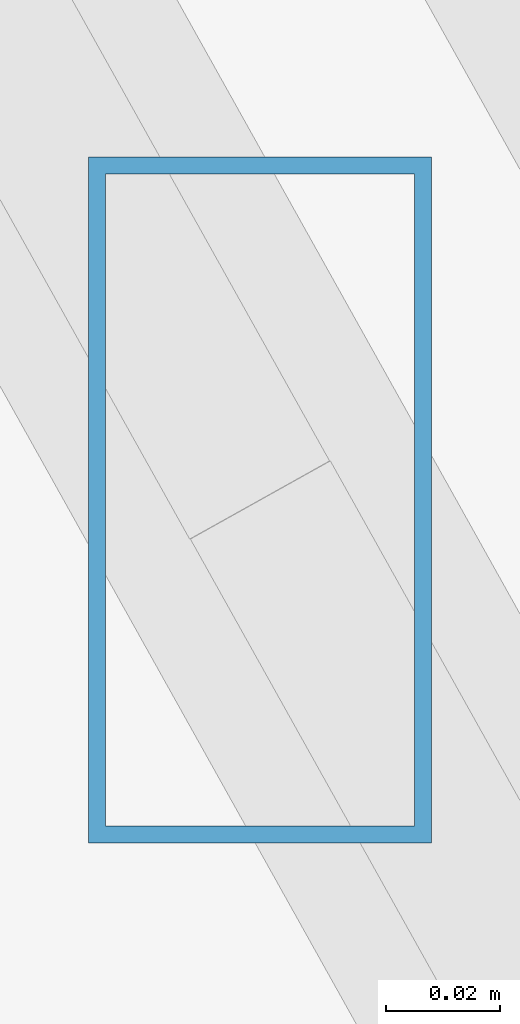
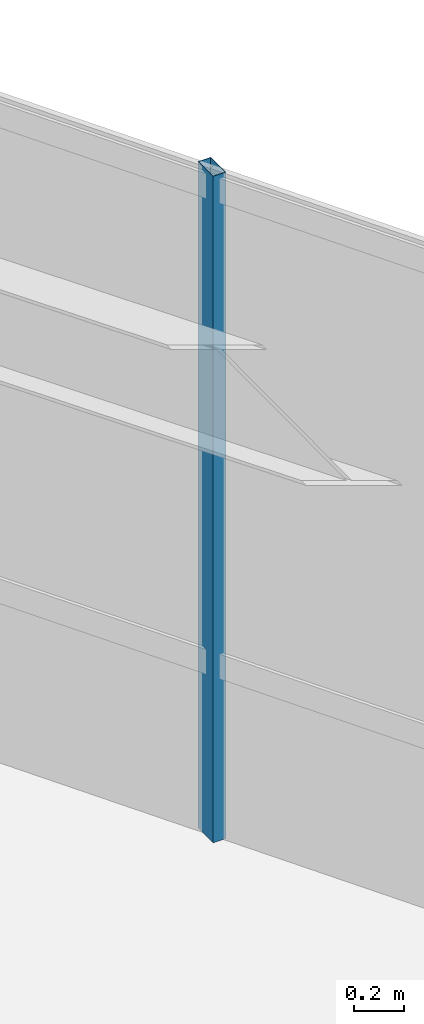
# One storey, part 37 of 44: 1 member, 1 element without a shape of its own.
"""IFC4 building model written with IfcOpenShell, lengths in metres."""

from ifc_helpers import new_model, si_unit, direction, frame, origin, origin_2d, place, context, subcontext, project, spatial, hollow_rectangle, extrude, source, transform, mapped, material, material_profile, profile_set, type_object, type_shapes, element, aggregate, save


model = new_model("IFC4")

# Units and contexts
model_context = context("Model", 3, precision=1e-05, world=origin(), true_north=direction((0.0, 1.0)))
body_context = subcontext(model_context, "Body", "Model", "MODEL_VIEW")
ifc_project = project(units=[si_unit("LENGTHUNIT", "METRE"), si_unit("AREAUNIT", "SQUARE_METRE"), si_unit("VOLUMEUNIT", "CUBIC_METRE"), si_unit("PLANEANGLEUNIT", "RADIAN"), si_unit("MASSUNIT", "GRAM", prefix="KILO")], contexts=[model_context])

# Site, building, storey
site_placement = place(None, origin())
site = spatial("IfcSite", under=ifc_project, at=site_placement, CompositionType="ELEMENT")
building_placement = place(site_placement, origin())
building = spatial("IfcBuilding", under=site, at=building_placement, Name="Caelisora Broadcast Tower", CompositionType="ELEMENT")
storey_placement = place(building_placement, frame((0.0, 0.0, 280.949951171875)))
storey = spatial("IfcBuildingStorey", under=building, at=storey_placement, Name="L74", CompositionType="ELEMENT", Elevation=280.949951171875)

# Curtain wall, member
ifc_material_1 = material(Name="Unitised Aluminium and Low-E Glass Curtain Wall", Category="glass")
curtain_wall_type = type_object("IfcCurtainWallType", Name="CW-Z5", PredefinedType="NOTDEFINED", material=ifc_material_1)
curtain_wall_placement = place(storey_placement, origin())
curtain_wall = element("IfcCurtainWall", 1, at=curtain_wall_placement, inside=storey, type_object=curtain_wall_type, Name="L74 curtain wall CW-Z5", PredefinedType="NOTDEFINED")
ifc_material_2 = material(Name="Aluminium 6063-T6 Anodised Terracotta Bronze", Category="aluminium")
ifc_material_profile = material_profile(ifc_material_2, hollow_rectangle(XDim=0.06005859375, YDim=0.1201171875, WallThickness=0.0029296875, at=origin_2d()), Name="Aluminium 6063-T6 Anodised Terracotta Bronze")
ifc_profile_set = profile_set([ifc_material_profile], Name="Aluminium 6063-T6 Anodised Terracotta Bronze")
member_type = type_object("IfcMemberType", Name="CWM-04", PredefinedType="MULLION", material=ifc_profile_set)
shared_shape = source(origin(), body_context, "Body", "SweptSolid", [
    extrude(hollow_rectangle(XDim=0.06005859375, YDim=0.1201171875, WallThickness=0.0029296875, at=origin_2d()), origin(), (0.0, 0.0, 1.0), 3.25),
])
type_shapes(member_type, [shared_shape])
member_placement = place(storey_placement, frame((45.040771484375, 42.161865234375, 0.0), z_axis=(0.0, 0.0, 1.0), x_axis=(1.0, 0.0, 0.0)))
member = element("IfcMember", 2, at=member_placement, type_object=member_type, Name="L74-CW-B01 mullion #2", PredefinedType="MULLION", context=body_context, shape_type="MappedRepresentation", body=[
    mapped(shared_shape, transform((0.0, 0.0, 0.0), scale=1.0)),
])
aggregate(curtain_wall, [member])

save(model, "model.ifc")
